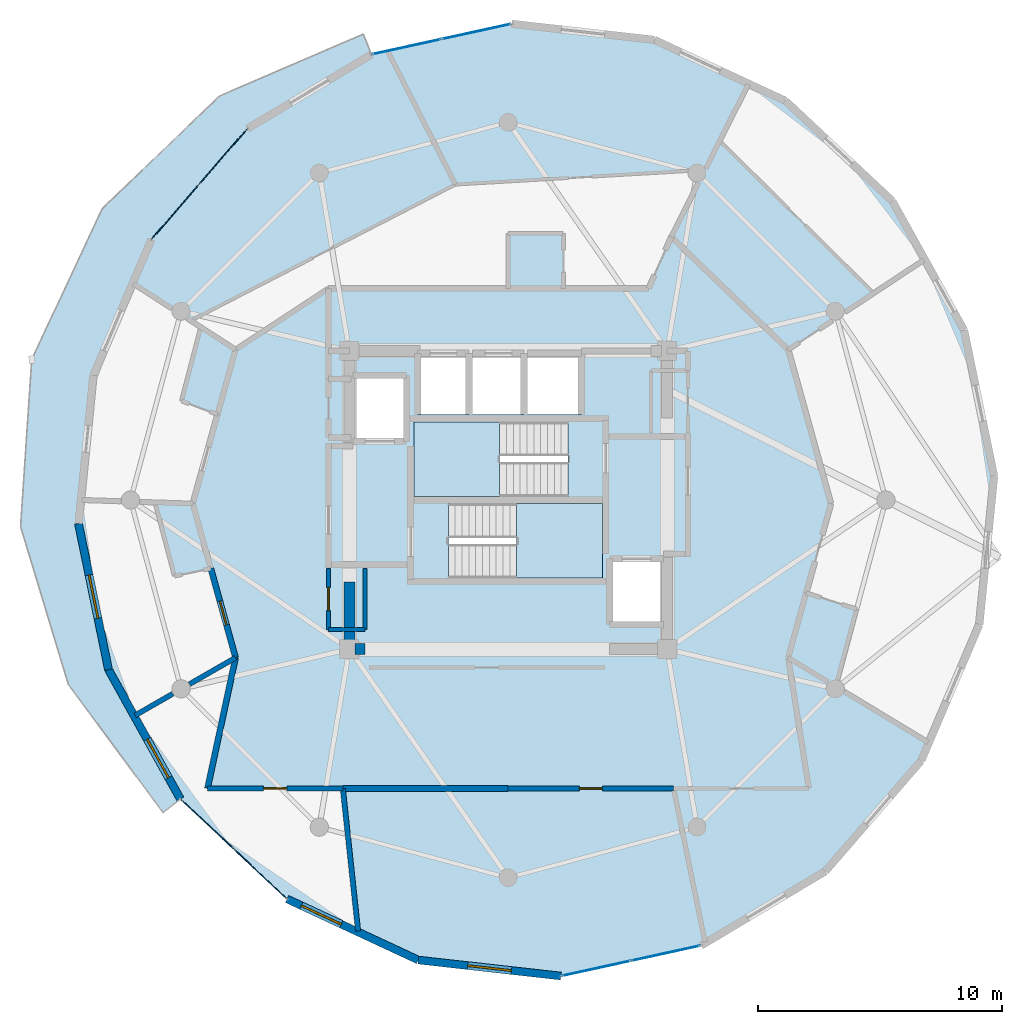
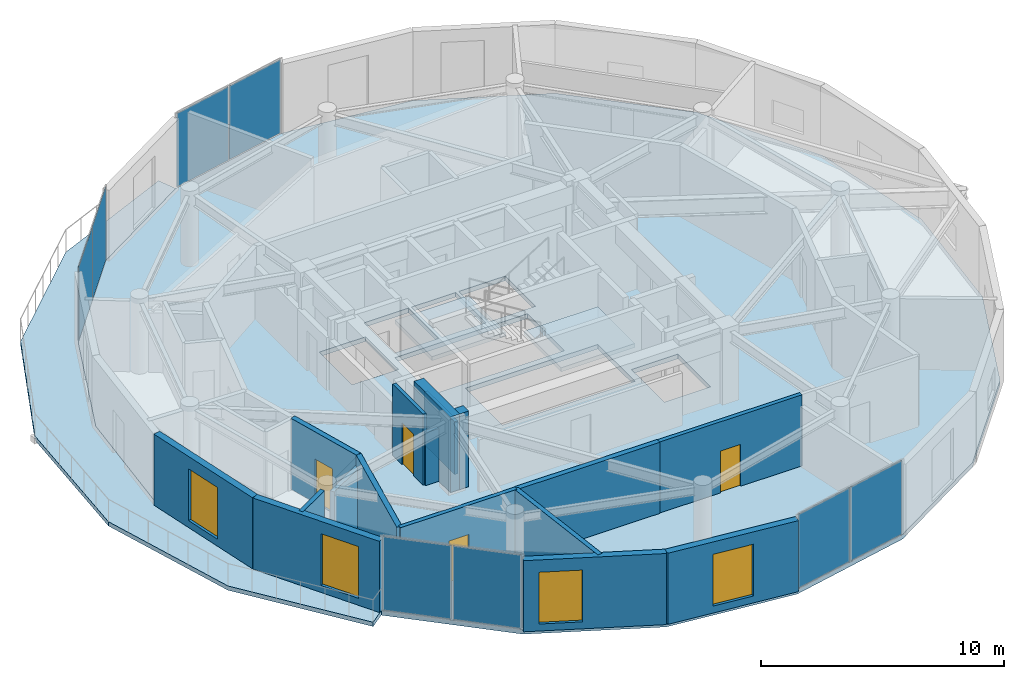
# One storey, part 10 of 15: 17 walls, 8 plates, 4 doors, 4 slabs, 4 windows, 8 openings, 6 elements without a shape of their own.
"""IFC4 building model written with IfcOpenShell, lengths in metres."""

from ifc_helpers import new_model, si_unit, direction, frame, frame_2d, origin, origin_2d, place, context, subcontext, project, spatial, polyline, rectangle, outline, extrude, source, transform, mapped, material, layer, layer_set, type_object, element, fill, aggregate, save


model = new_model("IFC4")

# Units and contexts
model_context = context("Model", 3, precision=1e-05, world=origin(), true_north=direction((0.0, 1.0)))
body_context = subcontext(model_context, "Body", "Model", "MODEL_VIEW")
ifc_project = project(units=[si_unit("LENGTHUNIT", "METRE"), si_unit("AREAUNIT", "SQUARE_METRE"), si_unit("VOLUMEUNIT", "CUBIC_METRE"), si_unit("PLANEANGLEUNIT", "RADIAN"), si_unit("MASSUNIT", "GRAM", prefix="KILO")], contexts=[model_context])

# Site, building, storey
site_placement = place(None, origin())
site = spatial("IfcSite", under=ifc_project, at=site_placement, CompositionType="ELEMENT")
building_placement = place(site_placement, origin())
building = spatial("IfcBuilding", under=site, at=building_placement, Name="Solvirekh Grand Hotel", CompositionType="ELEMENT")
storey_placement = place(building_placement, frame((0.0, 0.0, 270.60009765625)))
storey = spatial("IfcBuildingStorey", under=building, at=storey_placement, Name="L70", CompositionType="ELEMENT", Elevation=270.60009765625)

# Slab
ifc_material_1 = material(Name="Concrete C50/60", Category="concrete")
ifc_layer_1 = layer(ifc_material_1, 0.215087890625)
ifc_layer_set_1 = layer_set([ifc_layer_1], Name="Concrete C50/60")
slab_type_1 = type_object("IfcSlabType", Name="ExtCrescentBalc_215", PredefinedType="FLOOR", material=ifc_layer_set_1)
slab_1_placement = place(storey_placement, frame((0.0, 0.0, -0.215087890625)))
element("IfcSlab", 1, at=slab_1_placement, inside=storey, type_object=slab_type_1, Name="L70 sweeping crescent balcony slab", PredefinedType="FLOOR", context=body_context, shape_type="SweptSolid", body=[
    extrude(outline(polyline([(-5.926025390625, 19.05810546875), (-11.797119140625, 16.52587890625), (-16.60302734375, 11.919921875), (-19.488037109375, 5.742919921875), (-19.944091796875, -1.091064453125), (-17.989013671875, -7.5458984375), (-14.116943359375, -12.782958984375), (-13.406982421875, -12.22998046875), (-16.346923828125, -6.93896484375), (-17.574951171875, -0.968017578125), (-16.969970703125, 5.096923828125), (-14.591064453125, 10.6630859375), (-10.6708984375, 15.18603515625), (-5.593994140625, 18.221923828125), (-5.926025390625, 19.05810546875)])), origin(), (0.0, 0.0, 1.0), 0.215087890625),
])

# Stair, slab
ifc_material_2 = material(Name="Concrete C40/50", Category="concrete")
stair_type = type_object("IfcStairType", Name="Stair_Core_1450", PredefinedType="HALF_TURN_STAIR", material=ifc_material_2)
stair_1_placement = place(storey_placement, origin())
stair_1 = element("IfcStair", 2, at=stair_1_placement, inside=storey, type_object=stair_type, Name="L70 Enclosed exit stair ST-1", PredefinedType="HALF_TURN_STAIR")
ifc_layer_2 = layer(ifc_material_2, 0.199951171875)
ifc_layer_set_2 = layer_set([ifc_layer_2], Name="Concrete C40/50")
slab_type_2 = type_object("IfcSlabType", Name="Landing_Stair_200", PredefinedType="LANDING", material=ifc_layer_set_2)
slab_2_placement = place(storey_placement, frame((0.0, 0.0, 1.699951171875)))
slab_2 = element("IfcSlab", 3, at=slab_2_placement, type_object=slab_type_2, Name="ST-1 landing 1", PredefinedType="LANDING", context=body_context, shape_type="SweptSolid", body=[
    extrude(outline(polyline([(0.35009765625, -3.199951171875), (3.85009765625, -3.199951171875), (3.85009765625, -0.14990234375), (0.35009765625, -0.14990234375), (0.35009765625, -3.199951171875)])), origin(), (0.0, 0.0, 1.0), 0.199951171875),
])
aggregate(stair_1, [slab_2])

stair_2_placement = place(storey_placement, origin())
stair_2 = element("IfcStair", 4, at=stair_2_placement, inside=storey, type_object=stair_type, Name="L70 Enclosed exit stair ST-2", PredefinedType="HALF_TURN_STAIR")
slab_3_placement = place(storey_placement, frame((0.0, 0.0, 1.699951171875)))
slab_3 = element("IfcSlab", 5, at=slab_3_placement, type_object=slab_type_2, Name="ST-2 landing 1", PredefinedType="LANDING", context=body_context, shape_type="SweptSolid", body=[
    extrude(outline(polyline([(-0.35009765625, 3.199951171875), (-3.85009765625, 3.199951171875), (-3.85009765625, 0.14990234375), (-0.35009765625, 0.14990234375), (-0.35009765625, 3.199951171875)])), origin(), (0.0, 0.0, 1.0), 0.199951171875),
])
aggregate(stair_2, [slab_3])

# Slab
ifc_layer_3 = layer(ifc_material_2, 0.22998046875)
ifc_layer_set_3 = layer_set([ifc_layer_3], Name="Concrete C40/50")
slab_type_3 = type_object("IfcSlabType", Name="Slab_GuestZ4_230", PredefinedType="FLOOR", material=ifc_layer_set_3)
slab_4_placement = place(storey_placement, frame((0.0, 0.0, -0.22998046875)))
element("IfcSlab", 6, at=slab_4_placement, inside=storey, type_object=slab_type_3, Name="L70 structural floor slab", PredefinedType="FLOOR", context=body_context, shape_type="SweptSolid", body=[
    extrude(outline(polyline([(2.156982421875, -19.47412109375), (7.89404296875, -18.221923828125), (12.970947265625, -15.18603515625), (16.89111328125, -10.6630859375), (19.27001953125, -5.096923828125), (19.875, 0.968017578125), (18.64697265625, 6.93896484375), (15.70703125, 12.22998046875), (11.342041015625, 16.323974609375), (5.97900390625, 18.820068359375), (0.14306640625, 19.47412109375), (-5.593994140625, 18.221923828125), (-10.6708984375, 15.18603515625), (-14.591064453125, 10.6630859375), (-16.969970703125, 5.096923828125), (-17.574951171875, -0.968017578125), (-16.346923828125, -6.93896484375), (-13.406982421875, -12.22998046875), (-9.0419921875, -16.323974609375), (-3.678955078125, -18.820068359375), (2.156982421875, -19.47412109375)]), holes=[polyline([(-2.444091796875, -0.14990234375), (3.85009765625, -0.14990234375), (3.85009765625, -3.199951171875), (-2.444091796875, -3.199951171875), (-2.444091796875, -0.14990234375)]), polyline([(2.444091796875, 0.14990234375), (-3.85009765625, 0.14990234375), (-3.85009765625, 3.199951171875), (2.444091796875, 3.199951171875), (2.444091796875, 0.14990234375)]), polyline([(-3.699951171875, 6.0), (-1.60009765625, 6.0), (-1.60009765625, 3.5), (-3.699951171875, 3.5), (-3.699951171875, 6.0)]), polyline([(-1.449951171875, 6.0), (0.64990234375, 6.0), (0.64990234375, 3.5), (-1.449951171875, 3.5), (-1.449951171875, 6.0)]), polyline([(0.800048828125, 6.0), (3.0, 6.0), (3.0, 3.5), (0.800048828125, 3.5), (0.800048828125, 6.0)]), polyline([(-6.35009765625, 5.10009765625), (-4.14990234375, 5.10009765625), (-4.14990234375, 2.39990234375), (-6.35009765625, 2.39990234375), (-6.35009765625, 5.10009765625)]), polyline([(4.14990234375, -2.39990234375), (6.35009765625, -2.39990234375), (6.35009765625, -5.10009765625), (4.14990234375, -5.10009765625), (4.14990234375, -2.39990234375)])]), origin(), (0.0, 0.0, 1.0), 0.22998046875),
])

# Curtain wall, plates
ifc_material_3 = material(Name="Anodized Bronze Aluminium 6063-T6", Category="aluminium")
ifc_layer_4 = layer(ifc_material_3, 0.159912109375)
ifc_layer_set_4 = layer_set([ifc_layer_4], Name="Anodized Bronze Aluminium 6063-T6")
curtain_wall_type = type_object("IfcCurtainWallType", Name="CW_Sys4_HighZoneFlushBronzeCW", PredefinedType="NOTDEFINED", material=ifc_layer_set_4)
curtain_wall_1_placement = place(storey_placement, origin())
curtain_wall_1 = element("IfcCurtainWall", 7, at=curtain_wall_1_placement, inside=storey, type_object=curtain_wall_type, Name="L70 unitised bronze-glass curtain wall CW-L70-C01", PredefinedType="NOTDEFINED")
ifc_material_4 = material(Name="Low-E Tinted Bronze Laminated Glass", Category="aluminium")
ifc_layer_5 = layer(ifc_material_4, 0.033935546875)
ifc_layer_set_5 = layer_set([ifc_layer_5], Name="Low-E Tinted Bronze Laminated Glass")
plate_type = type_object("IfcPlateType", Name="CWPanel_High_34", PredefinedType="CURTAIN_PANEL", material=ifc_layer_set_5)
shared_shape_1 = source(origin(), body_context, "Body", "SweptSolid", [
    extrude(rectangle(XDim=2.845947265625, YDim=0.033935546875, at=origin_2d()), origin(), (0.0, 0.0, 1.0), 3.68994140625),
])
plate_1_placement = place(storey_placement, frame((3.60595703125, -19.15771484375, 0.054931640625), z_axis=(0.0, 0.0, 1.0), x_axis=(0.977005442369, 0.213214365324, 0.0)))
plate_1 = element("IfcPlate", 8, at=plate_1_placement, type_object=plate_type, Name="U04 panel 1.1", PredefinedType="CURTAIN_PANEL", context=body_context, shape_type="MappedRepresentation", body=[
    mapped(shared_shape_1, transform((0.0, 0.0, 0.0), x_axis=(1.0, 0.0, 0.0), y_axis=(0.0, 1.0, 0.0), z_axis=(0.0, 0.0, 1.0), scale=1.0)),
])
plate_2_placement = place(storey_placement, frame((6.445068359375, -18.5380859375, 0.054931640625), z_axis=(0.0, 0.0, 1.0), x_axis=(0.977005442369, 0.213214365324, 0.0)))
plate_2 = element("IfcPlate", 9, at=plate_2_placement, type_object=plate_type, Name="U04 panel 2.1", PredefinedType="CURTAIN_PANEL", context=body_context, shape_type="MappedRepresentation", body=[
    mapped(shared_shape_1, transform((0.0, 0.0, 0.0), x_axis=(1.0, 0.0, 0.0), y_axis=(0.0, 1.0, 0.0), z_axis=(0.0, 0.0, 1.0), scale=1.0)),
])
aggregate(curtain_wall_1, [plate_1, plate_2])

curtain_wall_2_placement = place(storey_placement, origin())
curtain_wall_2 = element("IfcCurtainWall", 10, at=curtain_wall_2_placement, inside=storey, type_object=curtain_wall_type, Name="L70 unitised bronze-glass curtain wall CW-L70-C11", PredefinedType="NOTDEFINED")
plate_3_placement = place(storey_placement, frame((-1.305908203125, 19.15771484375, 0.054931640625), z_axis=(0.0, 0.0, 1.0), x_axis=(-0.977005442369, -0.213214365324, 0.0)))
plate_3 = element("IfcPlate", 11, at=plate_3_placement, type_object=plate_type, Name="U04 panel 1.1", PredefinedType="CURTAIN_PANEL", context=body_context, shape_type="MappedRepresentation", body=[
    mapped(shared_shape_1, transform((0.0, 0.0, 0.0), x_axis=(1.0, 0.0, 0.0), y_axis=(0.0, 1.0, 0.0), z_axis=(0.0, 0.0, 1.0), scale=1.0)),
])
plate_4_placement = place(storey_placement, frame((-4.14501953125, 18.5380859375, 0.054931640625), z_axis=(0.0, 0.0, 1.0), x_axis=(-0.977005442369, -0.213214365324, 0.0)))
plate_4 = element("IfcPlate", 12, at=plate_4_placement, type_object=plate_type, Name="U04 panel 2.1", PredefinedType="CURTAIN_PANEL", context=body_context, shape_type="MappedRepresentation", body=[
    mapped(shared_shape_1, transform((0.0, 0.0, 0.0), x_axis=(1.0, 0.0, 0.0), y_axis=(0.0, 1.0, 0.0), z_axis=(0.0, 0.0, 1.0), scale=1.0)),
])
aggregate(curtain_wall_2, [plate_3, plate_4])

curtain_wall_3_placement = place(storey_placement, origin())
curtain_wall_3 = element("IfcCurtainWall", 13, at=curtain_wall_3_placement, inside=storey, type_object=curtain_wall_type, Name="L70 unitised bronze-glass curtain wall CW-L70-C18", PredefinedType="NOTDEFINED")
shared_shape_2 = source(origin(), body_context, "Body", "SweptSolid", [
    extrude(rectangle(XDim=2.90234375, YDim=0.033935546875, at=origin_2d()), origin(), (0.0, 0.0, 1.0), 3.68994140625),
])
plate_5_placement = place(storey_placement, frame((-12.3046875, -13.263671875, 0.054931640625), z_axis=(0.0, 0.0, 1.0), x_axis=(0.729386067911, -0.684102305168, 0.0)))
plate_5 = element("IfcPlate", 14, at=plate_5_placement, type_object=plate_type, Name="U04 panel 1.1", PredefinedType="CURTAIN_PANEL", context=body_context, shape_type="MappedRepresentation", body=[
    mapped(shared_shape_2, transform((0.0, 0.0, 0.0), x_axis=(1.0, 0.0, 0.0), y_axis=(0.0, 1.0, 0.0), z_axis=(0.0, 0.0, 1.0), scale=1.0)),
])
plate_6_placement = place(storey_placement, frame((-10.144287109375, -15.290283203125, 0.054931640625), z_axis=(0.0, 0.0, 1.0), x_axis=(0.729386067911, -0.684102305168, 0.0)))
plate_6 = element("IfcPlate", 15, at=plate_6_placement, type_object=plate_type, Name="U04 panel 2.1", PredefinedType="CURTAIN_PANEL", context=body_context, shape_type="MappedRepresentation", body=[
    mapped(shared_shape_2, transform((0.0, 0.0, 0.0), x_axis=(1.0, 0.0, 0.0), y_axis=(0.0, 1.0, 0.0), z_axis=(0.0, 0.0, 1.0), scale=1.0)),
])
aggregate(curtain_wall_3, [plate_5, plate_6])

curtain_wall_4_placement = place(storey_placement, origin())
curtain_wall_4 = element("IfcCurtainWall", 16, at=curtain_wall_4_placement, inside=storey, type_object=curtain_wall_type, Name="L70 unitised bronze-glass curtain wall CW-L70-C13", PredefinedType="NOTDEFINED")
shared_shape_3 = source(origin(), body_context, "Body", "SweptSolid", [
    extrude(rectangle(XDim=2.902587890625, YDim=0.033935546875, at=origin_2d()), origin(), (0.0, 0.0, 1.0), 3.68994140625),
])
plate_7_placement = place(storey_placement, frame((-11.660888671875, 14.0439453125, 0.054931640625), z_axis=(0.0, 0.0, 1.0), x_axis=(-0.65493689914, -0.755683570117, 0.0)))
plate_7 = element("IfcPlate", 17, at=plate_7_placement, type_object=plate_type, Name="U04 panel 1.1", PredefinedType="CURTAIN_PANEL", context=body_context, shape_type="MappedRepresentation", body=[
    mapped(shared_shape_3, transform((0.0, 0.0, 0.0), x_axis=(1.0, 0.0, 0.0), y_axis=(0.0, 1.0, 0.0), z_axis=(0.0, 0.0, 1.0), scale=1.0)),
])
plate_8_placement = place(storey_placement, frame((-13.60107421875, 11.80517578125, 0.054931640625), z_axis=(0.0, 0.0, 1.0), x_axis=(-0.65493689914, -0.755683570117, 0.0)))
plate_8 = element("IfcPlate", 18, at=plate_8_placement, type_object=plate_type, Name="U04 panel 2.1", PredefinedType="CURTAIN_PANEL", context=body_context, shape_type="MappedRepresentation", body=[
    mapped(shared_shape_3, transform((0.0, 0.0, 0.0), x_axis=(1.0, 0.0, 0.0), y_axis=(0.0, 1.0, 0.0), z_axis=(0.0, 0.0, 1.0), scale=1.0)),
])
aggregate(curtain_wall_4, [plate_7, plate_8])

# Walls
ifc_layer_6 = layer(ifc_material_1, 0.449951171875)
ifc_layer_set_6 = layer_set([ifc_layer_6], Name="Concrete C50/60")
wall_type_1 = type_object("IfcWallType", Name="CoreWall_RC450", PredefinedType="SHEAR", material=ifc_layer_set_6)
wall_1_placement = place(storey_placement, frame((-6.27490234375, -6.10009765625, 0.0), z_axis=(0.0, 0.0, 1.0), x_axis=(1.0, 0.0, 0.0)))
element("IfcWall", 19, at=wall_1_placement, inside=storey, type_object=wall_type_1, Name="L70 core corner shear wall SW-S", PredefinedType="SHEAR", context=body_context, shape_type="SweptSolid", body=[
    extrude(rectangle(XDim=0.4248046875, YDim=0.449951171875, at=frame_2d((0.21240234375, 0.0))), origin(), (0.0, 0.0, 1.0), 3.7998046875),
])
wall_2_placement = place(storey_placement, frame((-6.5, -6.324951171875, 0.0), z_axis=(0.0, 0.0, 1.0), x_axis=(0.0, 1.0, 0.0)))
element("IfcWall", 20, at=wall_2_placement, inside=storey, type_object=wall_type_1, Name="L70 core corner shear wall WS-W", PredefinedType="SHEAR", context=body_context, shape_type="SweptSolid", body=[
    extrude(rectangle(XDim=2.974853515625, YDim=0.449951171875, at=frame_2d((1.4873046875, 0.0))), origin(), (0.0, 0.0, 1.0), 3.7998046875),
])

# Wall, opening, window
ifc_material_5 = material(Name="Precast concrete C45/55", Category="concrete")
ifc_layer_7 = layer(ifc_material_5, 0.320068359375)
ifc_layer_set_7 = layer_set([ifc_layer_7], Name="Precast concrete C45/55")
wall_type_2 = type_object("IfcWallType", Name="ExtLobbyWall_RC320", PredefinedType="SOLIDWALL", material=ifc_layer_set_7)
wall_3_placement = place(storey_placement, frame((-16.346923828125, -6.93896484375, 0.0), z_axis=(0.0, 0.0, 1.0), x_axis=(-0.201450639807, 0.979498667545, 0.0)))
wall_3 = element("IfcWall", 21, at=wall_3_placement, inside=storey, type_object=wall_type_2, Name="L70 exterior structural wall chord 16", PredefinedType="SOLIDWALL", context=body_context, shape_type="SweptSolid", body=[
    extrude(rectangle(XDim=6.095947265625, YDim=0.320068359375, at=frame_2d((3.0478515625, 0.0))), origin(), (0.0, 0.0, 1.0), 3.56982421875),
])
opening_1_placement = place(wall_3_placement, frame((2.14794921875, 0.0, 0.35009765625)))
opening_1 = element("IfcOpeningElement", 22, at=opening_1_placement, cuts=wall_3, Name="Opening W02", PredefinedType="OPENING", context=body_context, shape_type="SweptSolid", body=[
    extrude(rectangle(XDim=1.800048828125, YDim=2.60009765625, at=frame_2d((0.89990234375, 1.300048828125))), frame((0.0, 0.169921875, 0.0), z_axis=(0.0, -1.0, 0.0), x_axis=(1.0, 0.0, 0.0)), (0.0, 0.0, 1.0), 0.340087890625),
])
window_type = type_object("IfcWindowType", Name="Win_LobbyExt_1800X2600", PartitioningType="SINGLE_PANEL", PredefinedType="WINDOW", material=ifc_material_4)
window_1_placement = place(opening_1_placement, origin())
window_1 = element("IfcWindow", 23, at=window_1_placement, inside=storey, type_object=window_type, Name="L70 panoramic bronze-framed window 16", OverallHeight=2.60009765625, OverallWidth=1.800048828125, PartitioningType="SINGLE_PANEL", PredefinedType="WINDOW", context=body_context, shape_type="SweptSolid", body=[
    extrude(rectangle(XDim=1.800048828125, YDim=2.60009765625, at=frame_2d((0.89990234375, 1.300048828125))), frame((0.0, 0.030029296875, 0.0), z_axis=(0.0, -1.0, 0.0), x_axis=(1.0, 0.0, 0.0)), (0.0, 0.0, 1.0), 0.06005859375),
])
fill(opening_1, window_1)

wall_4_placement = place(storey_placement, frame((-13.406982421875, -12.22998046875, 0.0), z_axis=(0.0, 0.0, 1.0), x_axis=(-0.485704572822, 0.87412302792, 0.0)))
wall_4 = element("IfcWall", 24, at=wall_4_placement, inside=storey, type_object=wall_type_2, Name="L70 exterior structural wall chord 17", PredefinedType="SOLIDWALL", context=body_context, shape_type="SweptSolid", body=[
    extrude(rectangle(XDim=6.052978515625, YDim=0.320068359375, at=frame_2d((3.0263671875, 0.0))), origin(), (0.0, 0.0, 1.0), 3.56982421875),
])
opening_2_placement = place(wall_4_placement, frame((0.9951171875, 0.0, 0.35009765625)))
opening_2 = element("IfcOpeningElement", 25, at=opening_2_placement, cuts=wall_4, Name="Opening W02", PredefinedType="OPENING", context=body_context, shape_type="SweptSolid", body=[
    extrude(rectangle(XDim=1.800048828125, YDim=2.60009765625, at=frame_2d((0.89990234375, 1.300048828125))), frame((0.0, 0.169921875, 0.0), z_axis=(0.0, -1.0, 0.0), x_axis=(1.0, 0.0, 0.0)), (0.0, 0.0, 1.0), 0.340087890625),
])
window_2_placement = place(opening_2_placement, origin())
window_2 = element("IfcWindow", 26, at=window_2_placement, inside=storey, type_object=window_type, Name="L70 panoramic bronze-framed window 17", OverallHeight=2.60009765625, OverallWidth=1.800048828125, PartitioningType="SINGLE_PANEL", PredefinedType="WINDOW", context=body_context, shape_type="SweptSolid", body=[
    extrude(rectangle(XDim=1.800048828125, YDim=2.60009765625, at=frame_2d((0.89990234375, 1.300048828125))), frame((0.0, 0.030029296875, 0.0), z_axis=(0.0, -1.0, 0.0), x_axis=(1.0, 0.0, 0.0)), (0.0, 0.0, 1.0), 0.06005859375),
])
fill(opening_2, window_2)

wall_5_placement = place(storey_placement, frame((-3.678955078125, -18.820068359375, 0.0), z_axis=(0.0, 0.0, 1.0), x_axis=(-0.90661391217, 0.421961152548, 0.0)))
wall_5 = element("IfcWall", 27, at=wall_5_placement, inside=storey, type_object=wall_type_2, Name="L70 exterior structural wall chord 19", PredefinedType="SOLIDWALL", context=body_context, shape_type="SweptSolid", body=[
    extrude(rectangle(XDim=5.91552734375, YDim=0.320068359375, at=frame_2d((2.957763671875, 0.0))), origin(), (0.0, 0.0, 1.0), 3.56982421875),
])
opening_3_placement = place(wall_5_placement, frame((3.47412109375, 0.0, 0.35009765625)))
opening_3 = element("IfcOpeningElement", 28, at=opening_3_placement, cuts=wall_5, Name="Opening W02", PredefinedType="OPENING", context=body_context, shape_type="SweptSolid", body=[
    extrude(rectangle(XDim=1.800048828125, YDim=2.60009765625, at=frame_2d((0.89990234375, 1.300048828125))), frame((0.0, 0.169921875, 0.0), z_axis=(0.0, -1.0, 0.0), x_axis=(1.0, 0.0, 0.0)), (0.0, 0.0, 1.0), 0.340087890625),
])
window_3_placement = place(opening_3_placement, origin())
window_3 = element("IfcWindow", 29, at=window_3_placement, inside=storey, type_object=window_type, Name="L70 panoramic bronze-framed window 19", OverallHeight=2.60009765625, OverallWidth=1.800048828125, PartitioningType="SINGLE_PANEL", PredefinedType="WINDOW", context=body_context, shape_type="SweptSolid", body=[
    extrude(rectangle(XDim=1.800048828125, YDim=2.60009765625, at=frame_2d((0.89990234375, 1.300048828125))), frame((0.0, 0.030029296875, 0.0), z_axis=(0.0, -1.0, 0.0), x_axis=(1.0, 0.0, 0.0)), (0.0, 0.0, 1.0), 0.06005859375),
])
fill(opening_3, window_3)

wall_6_placement = place(storey_placement, frame((2.156982421875, -19.47412109375, 0.0), z_axis=(0.0, 0.0, 1.0), x_axis=(-0.993778337548, 0.111376010973, 0.0)))
wall_6 = element("IfcWall", 30, at=wall_6_placement, inside=storey, type_object=wall_type_2, Name="L70 exterior structural wall chord 20", PredefinedType="SOLIDWALL", context=body_context, shape_type="SweptSolid", body=[
    extrude(rectangle(XDim=5.87255859375, YDim=0.320068359375, at=frame_2d((2.936279296875, 0.0))), origin(), (0.0, 0.0, 1.0), 3.56982421875),
])
opening_4_placement = place(wall_6_placement, frame((2.035888671875, 0.0, 0.35009765625)))
opening_4 = element("IfcOpeningElement", 31, at=opening_4_placement, cuts=wall_6, Name="Opening W02", PredefinedType="OPENING", context=body_context, shape_type="SweptSolid", body=[
    extrude(rectangle(XDim=1.800048828125, YDim=2.60009765625, at=frame_2d((0.89990234375, 1.300048828125))), frame((0.0, 0.169921875, 0.0), z_axis=(0.0, -1.0, 0.0), x_axis=(1.0, 0.0, 0.0)), (0.0, 0.0, 1.0), 0.340087890625),
])
window_4_placement = place(opening_4_placement, origin())
window_4 = element("IfcWindow", 32, at=window_4_placement, inside=storey, type_object=window_type, Name="L70 panoramic bronze-framed window 20", OverallHeight=2.60009765625, OverallWidth=1.800048828125, PartitioningType="SINGLE_PANEL", PredefinedType="WINDOW", context=body_context, shape_type="SweptSolid", body=[
    extrude(rectangle(XDim=1.800048828125, YDim=2.60009765625, at=frame_2d((0.89990234375, 1.300048828125))), frame((0.0, 0.030029296875, 0.0), z_axis=(0.0, -1.0, 0.0), x_axis=(1.0, 0.0, 0.0)), (0.0, 0.0, 1.0), 0.06005859375),
])
fill(opening_4, window_4)

# Walls
ifc_material_6 = material(Name="Acoustic Gypsum Partition Assembly")
ifc_layer_8 = layer(ifc_material_6, 0.1650390625)
ifc_layer_set_8 = layer_set([ifc_layer_8], Name="Acoustic Gypsum Partition Assembly")
wall_type_3 = type_object("IfcWallType", Name="Part_BOH_165", PredefinedType="PARTITIONING", material=ifc_layer_set_8)
wall_7_placement = place(storey_placement, frame((-7.35009765625, -5.300048828125, 0.0), z_axis=(0.0, 0.0, 1.0), x_axis=(1.0, 0.0, 0.0)))
element("IfcWall", 33, at=wall_7_placement, inside=storey, type_object=wall_type_3, Name="L70 L70 Core Linen Store wall 1", PredefinedType="PARTITIONING", context=body_context, shape_type="SweptSolid", body=[
    extrude(rectangle(XDim=1.5, YDim=0.1650390625, at=frame_2d((0.75, 0.0))), origin(), (0.0, 0.0, 1.0), 2.65478515625),
])
wall_8_placement = place(storey_placement, frame((-5.85009765625, -5.300048828125, 0.0), z_axis=(0.0, 0.0, 1.0), x_axis=(0.0, 1.0, 0.0)))
element("IfcWall", 34, at=wall_8_placement, inside=storey, type_object=wall_type_3, Name="L70 L70 Core Linen Store wall 2", PredefinedType="PARTITIONING", context=body_context, shape_type="SweptSolid", body=[
    extrude(rectangle(XDim=2.5, YDim=0.1650390625, at=frame_2d((1.25, 0.0))), origin(), (0.0, 0.0, 1.0), 2.65478515625),
])

# Wall, opening, door
wall_9_placement = place(storey_placement, frame((-7.35009765625, -2.800048828125, 0.0), z_axis=(0.0, 0.0, 1.0), x_axis=(0.0, -1.0, 0.0)))
wall_9 = element("IfcWall", 35, at=wall_9_placement, inside=storey, type_object=wall_type_3, Name="L70 L70 Core Linen Store wall 4", PredefinedType="PARTITIONING", context=body_context, shape_type="SweptSolid", body=[
    extrude(rectangle(XDim=2.5, YDim=0.1650390625, at=frame_2d((1.25, 0.0))), origin(), (0.0, 0.0, 1.0), 3.56982421875),
])
opening_5_placement = place(wall_9_placement, frame((0.77490234375, 0.0, 0.0)))
opening_5 = element("IfcOpeningElement", 36, at=opening_5_placement, cuts=wall_9, Name="Opening D10", PredefinedType="OPENING", context=body_context, shape_type="SweptSolid", body=[
    extrude(rectangle(XDim=0.949951171875, YDim=2.10009765625, at=frame_2d((0.47509765625, 1.050048828125))), frame((0.0, 0.092529296875, 0.0), z_axis=(0.0, -1.0, 0.0), x_axis=(1.0, 0.0, 0.0)), (0.0, 0.0, 1.0), 0.18505859375),
])
door_type_1 = type_object("IfcDoorType", Name="Door_RoomInt_950X2100", OperationType="NOTDEFINED", PredefinedType="DOOR", material=ifc_material_3)
door_1_placement = place(opening_5_placement, origin())
door_1 = element("IfcDoor", 37, at=door_1_placement, inside=storey, type_object=door_type_1, Name="L70 L70 Core Linen Store door", OperationType="SINGLE_SWING_RIGHT", OverallHeight=2.10009765625, OverallWidth=0.949951171875, PredefinedType="DOOR", context=body_context, shape_type="SweptSolid", body=[
    extrude(rectangle(XDim=0.949951171875, YDim=2.10009765625, at=frame_2d((0.47509765625, 1.050048828125))), frame((0.0, 0.02490234375, 0.0), z_axis=(0.0, -1.0, 0.0), x_axis=(1.0, 0.0, 0.0)), (0.0, 0.0, 1.0), 0.050048828125),
])
fill(opening_5, door_1)

ifc_layer_9 = layer(ifc_material_6, 0.239990234375)
ifc_layer_set_9 = layer_set([ifc_layer_9], Name="Acoustic Gypsum Partition Assembly")
wall_type_4 = type_object("IfcWallType", Name="Part_Corridor_240", PredefinedType="PARTITIONING", material=ifc_layer_set_9)
wall_10_placement = place(storey_placement, frame((-12.166015625, -2.7958984375, 0.0), z_axis=(0.0, 0.0, 1.0), x_axis=(0.267374891444, -0.963592583733, 0.0)))
wall_10 = element("IfcWall", 38, at=wall_10_placement, inside=storey, type_object=wall_type_4, Name="L70 Deluxe Guestroom 7203 entrance wall", PredefinedType="PARTITIONING", context=body_context, shape_type="SweptSolid", body=[
    extrude(rectangle(XDim=3.7919921875, YDim=0.239990234375, at=frame_2d((1.89599609375, 0.0))), origin(), (0.0, 0.0, 1.0), 3.56982421875),
])
opening_6_placement = place(wall_10_placement, frame((1.39599609375, 0.0, 0.0)))
opening_6 = element("IfcOpeningElement", 39, at=opening_6_placement, cuts=wall_10, Name="Opening D07", PredefinedType="OPENING", context=body_context, shape_type="SweptSolid", body=[
    extrude(rectangle(XDim=1.0, YDim=2.199951171875, at=frame_2d((0.5, 1.10009765625))), frame((0.0, 0.1298828125, 0.0), z_axis=(0.0, -1.0, 0.0), x_axis=(1.0, 0.0, 0.0)), (0.0, 0.0, 1.0), 0.260009765625),
])
ifc_material_7 = material(Name="Fire-Rated Steel Door Assembly", Category="steel")
door_type_2 = type_object("IfcDoorType", Name="Door_GuestEntry_1000X2200", OperationType="NOTDEFINED", PredefinedType="DOOR", material=ifc_material_7)
door_2_placement = place(opening_6_placement, origin())
door_2 = element("IfcDoor", 40, at=door_2_placement, inside=storey, type_object=door_type_2, Name="L70 Deluxe Guestroom 7203 entrance door", OperationType="SINGLE_SWING_RIGHT", OverallHeight=2.199951171875, OverallWidth=1.0, PredefinedType="DOOR", context=body_context, shape_type="SweptSolid", body=[
    extrude(rectangle(XDim=1.0, YDim=2.199951171875, at=frame_2d((0.5, 1.10009765625))), frame((0.0, 0.02490234375, 0.0), z_axis=(0.0, -1.0, 0.0), x_axis=(1.0, 0.0, 0.0)), (0.0, 0.0, 1.0), 0.050048828125),
])
fill(opening_6, door_2)

# Walls
wall_11_placement = place(storey_placement, frame((-11.152099609375, -6.449951171875, 0.0), z_axis=(0.0, 0.0, 1.0), x_axis=(-0.209791126954, -0.977746226304, 0.0)))
element("IfcWall", 41, at=wall_11_placement, inside=storey, type_object=wall_type_4, Name="L70 L70 Horizon View Lounge corridor wall 1", PredefinedType="PARTITIONING", context=body_context, shape_type="SweptSolid", body=[
    extrude(rectangle(XDim=5.471923828125, YDim=0.239990234375, at=frame_2d((2.73583984375, 0.0))), origin(), (0.0, 0.0, 1.0), 3.56982421875),
])
wall_12_placement = place(storey_placement, frame((-6.764892578125, -11.800048828125, 0.0), z_axis=(0.0, 0.0, 1.0), x_axis=(1.0, 0.0, 0.0)))
element("IfcWall", 42, at=wall_12_placement, inside=storey, type_object=wall_type_4, Name="L70 L70 Riverfront Reading Lounge corridor wall 1", PredefinedType="PARTITIONING", context=body_context, shape_type="SweptSolid", body=[
    extrude(rectangle(XDim=6.764892578125, YDim=0.239990234375, at=frame_2d((3.38232421875, 0.0))), origin(), (0.0, 0.0, 1.0), 3.56982421875),
])

# Wall, opening, door
ifc_layer_10 = layer(ifc_material_6, 0.18994140625)
ifc_layer_set_10 = layer_set([ifc_layer_10], Name="Acoustic Gypsum Partition Assembly")
wall_type_5 = type_object("IfcWallType", Name="Part_GuestDemise_190", PredefinedType="PARTITIONING", material=ifc_layer_set_10)
wall_13_placement = place(storey_placement, frame((-12.300048828125, -11.800048828125, 0.0), z_axis=(0.0, 0.0, 1.0), x_axis=(1.0, 0.0, 0.0)))
wall_13 = element("IfcWall", 43, at=wall_13_placement, inside=storey, type_object=wall_type_5, Name="L70 L70 Horizon View Lounge entrance wall", PredefinedType="PARTITIONING", context=body_context, shape_type="SweptSolid", body=[
    extrude(rectangle(XDim=5.53515625, YDim=0.18994140625, at=frame_2d((2.767578125, 0.0))), origin(), (0.0, 0.0, 1.0), 3.56982421875),
])
opening_7_placement = place(wall_13_placement, frame((2.29296875, 0.0, 0.0)))
opening_7 = element("IfcOpeningElement", 44, at=opening_7_placement, cuts=wall_13, Name="Opening D10", PredefinedType="OPENING", context=body_context, shape_type="SweptSolid", body=[
    extrude(rectangle(XDim=0.949951171875, YDim=2.10009765625, at=frame_2d((0.47509765625, 1.050048828125))), frame((0.0, 0.10498046875, 0.0), z_axis=(0.0, -1.0, 0.0), x_axis=(1.0, 0.0, 0.0)), (0.0, 0.0, 1.0), 0.2099609375),
])
door_3_placement = place(opening_7_placement, origin())
door_3 = element("IfcDoor", 45, at=door_3_placement, inside=storey, type_object=door_type_1, Name="L70 L70 Horizon View Lounge entrance door", OperationType="SINGLE_SWING_LEFT", OverallHeight=2.10009765625, OverallWidth=0.949951171875, PredefinedType="DOOR", context=body_context, shape_type="SweptSolid", body=[
    extrude(rectangle(XDim=0.949951171875, YDim=2.10009765625, at=frame_2d((0.47509765625, 1.050048828125))), frame((0.0, 0.02490234375, 0.0), z_axis=(0.0, -1.0, 0.0), x_axis=(1.0, 0.0, 0.0)), (0.0, 0.0, 1.0), 0.050048828125),
])
fill(opening_7, door_3)

wall_14_placement = place(storey_placement, frame((0.0, -11.800048828125, 0.0), z_axis=(0.0, 0.0, 1.0), x_axis=(1.0, 0.0, 0.0)))
wall_14 = element("IfcWall", 46, at=wall_14_placement, inside=storey, type_object=wall_type_5, Name="L70 L70 Riverfront Reading Lounge entrance wall", PredefinedType="PARTITIONING", context=body_context, shape_type="SweptSolid", body=[
    extrude(rectangle(XDim=6.764892578125, YDim=0.18994140625, at=frame_2d((3.38232421875, 0.0))), origin(), (0.0, 0.0, 1.0), 3.56982421875),
])
opening_8_placement = place(wall_14_placement, frame((2.906982421875, 0.0, 0.0)))
opening_8 = element("IfcOpeningElement", 47, at=opening_8_placement, cuts=wall_14, Name="Opening D10", PredefinedType="OPENING", context=body_context, shape_type="SweptSolid", body=[
    extrude(rectangle(XDim=0.949951171875, YDim=2.10009765625, at=frame_2d((0.47509765625, 1.050048828125))), frame((0.0, 0.10498046875, 0.0), z_axis=(0.0, -1.0, 0.0), x_axis=(1.0, 0.0, 0.0)), (0.0, 0.0, 1.0), 0.2099609375),
])
door_4_placement = place(opening_8_placement, origin())
door_4 = element("IfcDoor", 48, at=door_4_placement, inside=storey, type_object=door_type_1, Name="L70 L70 Riverfront Reading Lounge entrance door", OperationType="SINGLE_SWING_RIGHT", OverallHeight=2.10009765625, OverallWidth=0.949951171875, PredefinedType="DOOR", context=body_context, shape_type="SweptSolid", body=[
    extrude(rectangle(XDim=0.949951171875, YDim=2.10009765625, at=frame_2d((0.47509765625, 1.050048828125))), frame((0.0, 0.02490234375, 0.0), z_axis=(0.0, -1.0, 0.0), x_axis=(1.0, 0.0, 0.0)), (0.0, 0.0, 1.0), 0.050048828125),
])
fill(opening_8, door_4)

# Walls
ifc_layer_11 = layer(ifc_material_6, 0.2099609375)
ifc_layer_set_11 = layer_set([ifc_layer_11], Name="Acoustic Gypsum Partition Assembly")
wall_type_6 = type_object("IfcWallType", Name="Part_SuiteDemise_210", PredefinedType="PARTITIONING", material=ifc_layer_set_11)
wall_15_placement = place(storey_placement, frame((-11.152099609375, -6.449951171875, 0.0), z_axis=(0.0, 0.0, 1.0), x_axis=(-0.867022876226, -0.498268333433, 0.0)))
element("IfcWall", 49, at=wall_15_placement, inside=storey, type_object=wall_type_6, Name="L70 suite radial wall 8 (A)", PredefinedType="PARTITIONING", context=body_context, shape_type="SweptSolid", body=[
    extrude(rectangle(XDim=2.171630859375, YDim=0.2099609375, at=frame_2d((1.0859375, 0.0))), origin(), (0.0, 0.0, 1.0), 3.010986328125),
])
wall_16_placement = place(storey_placement, frame((-13.719970703125, -7.926025390625, 0.0), z_axis=(0.0, 0.0, 1.0), x_axis=(-0.867167400639, -0.498016766052, 0.0)))
element("IfcWall", 50, at=wall_16_placement, inside=storey, type_object=wall_type_6, Name="L70 suite radial wall 8 (B)", PredefinedType="PARTITIONING", context=body_context, shape_type="SweptSolid", body=[
    extrude(rectangle(XDim=1.777099609375, YDim=0.2099609375, at=frame_2d((0.888671875, 0.0))), origin(), (0.0, 0.0, 1.0), 3.56982421875),
])
wall_17_placement = place(storey_placement, frame((-6.764892578125, -11.800048828125, 0.0), z_axis=(0.0, 0.0, 1.0), x_axis=(0.106574281644, -0.994304743271, 0.0)))
element("IfcWall", 51, at=wall_17_placement, inside=storey, type_object=wall_type_6, Name="L70 L70 Horizon View Lounge dividing partition 1", PredefinedType="PARTITIONING", context=body_context, shape_type="SweptSolid", body=[
    extrude(rectangle(XDim=5.864501953125, YDim=0.2099609375, at=frame_2d((2.93212890625, 0.0))), origin(), (0.0, 0.0, 1.0), 3.56982421875),
])

save(model, "model.ifc")
